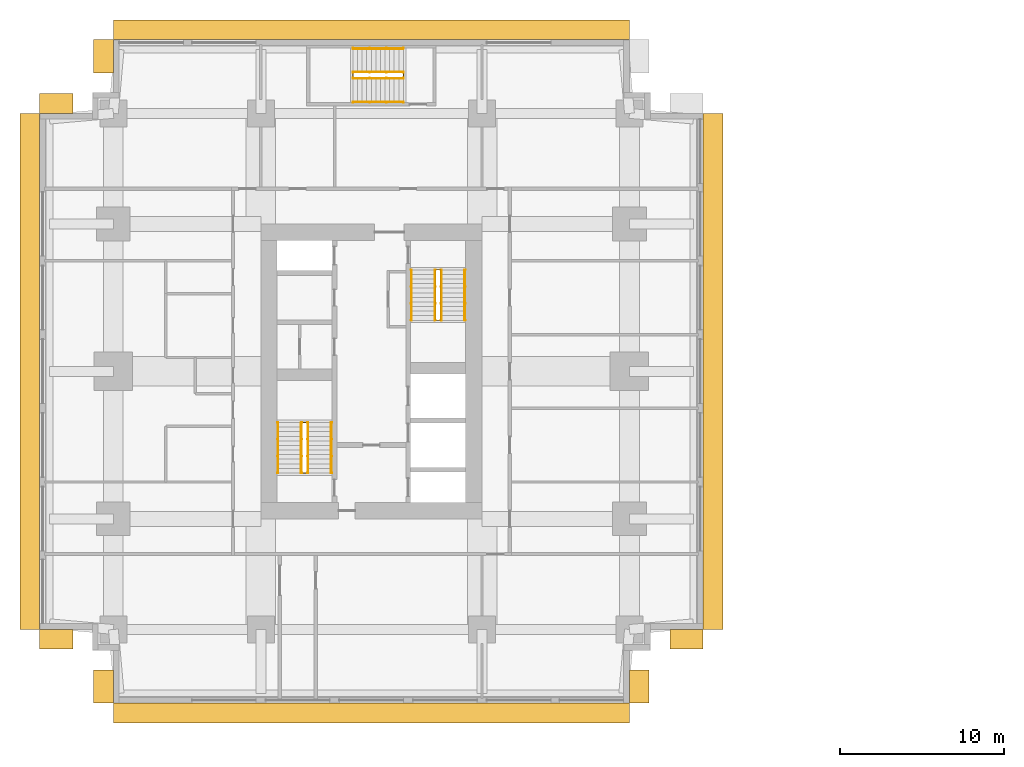
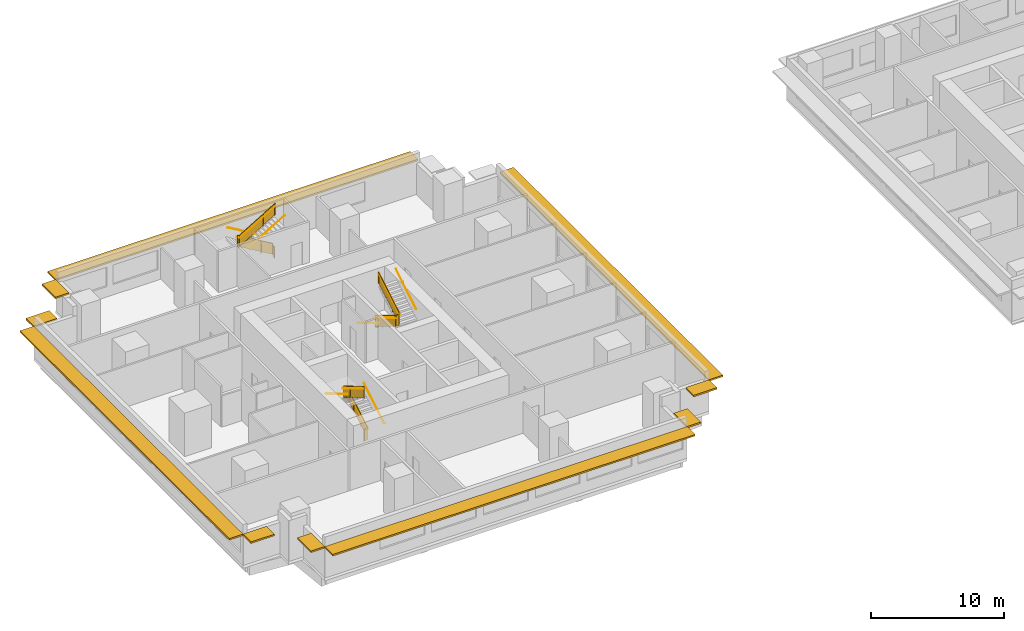
# One storey, part 10 of 11: 15 railings, 10 shading devices.
"""IFC4 building model written with IfcOpenShell, lengths in metres."""

import ifcopenshell
import ifcopenshell.guid

model = None  # the IFC model being written
_history = None  # IfcOwnerHistory: only IFC2X3 demands one
_inside = {}  # id of a spatial element -> (the spatial element, [elements in it])
_under = {}  # id of a project, library or spatial element -> (it, [spatial elements below it])
_declared = {}  # id of a project -> (the project, [libraries it declares])
_typed = {}  # id of a type object -> (the type object, [elements of that type])
_made_of = {}  # id of a material, layer set ... -> (it, [elements and type objects made of it])


def new_model(schema):
    """Start an empty IFC model of exactly this schema.

    Asked for "IFC4X3", IfcOpenShell would pick the latest addendum, in which some entities
    have other attributes; the version numbers below select the first issue.
    IFC2X3 requires an IfcOwnerHistory on every rooted entity: one is made here for all.
    """
    global model, _history
    if schema == "IFC4X3":
        model = ifcopenshell.file(schema_version=(4, 3, 0, 0))
    else:
        model = ifcopenshell.file(schema=schema)
    _inside.clear()
    _under.clear()
    _declared.clear()
    _typed.clear()
    _made_of.clear()
    _history = None
    if model.schema == "IFC2X3":
        org = make("IfcOrganization", Name="unknown")
        user = make(
            "IfcPersonAndOrganization",
            ThePerson=make("IfcPerson", FamilyName="unknown"),
            TheOrganization=org,
        )
        app = make(
            "IfcApplication",
            ApplicationDeveloper=org,
            Version="unknown",
            ApplicationFullName="unknown",
            ApplicationIdentifier="unknown",
        )
        _history = make(
            "IfcOwnerHistory",
            OwningUser=user,
            OwningApplication=app,
            ChangeAction="ADDED",
            CreationDate=0,
        )
    return model


def make(cls, **values):
    """One entity of the class cls with the attributes given. An attribute that is None is left unset."""
    return model.create_entity(
        cls, **{name: value for name, value in values.items() if value is not None}
    )


def rooted(cls, **values):
    """An entity with a GlobalId (a new one), such as an element, a storey or a relation."""
    return make(cls, GlobalId=ifcopenshell.guid.new(), OwnerHistory=_history, **values)


def si_unit(unit_type, name, prefix=None):
    """IfcSIUnit, for example si_unit("LENGTHUNIT", "METRE", prefix="MILLI")."""
    return make("IfcSIUnit", UnitType=unit_type, Prefix=prefix, Name=name)


def assignment(units):
    """IfcUnitAssignment: the units of a project."""
    return None if units is None else make("IfcUnitAssignment", Units=units)


def point(xyz):
    """IfcCartesianPoint."""
    return None if xyz is None else make("IfcCartesianPoint", Coordinates=xyz)


def direction(xyz):
    """IfcDirection."""
    return None if xyz is None else make("IfcDirection", DirectionRatios=xyz)


def frame(location, z_axis=None, x_axis=None):
    """IfcAxis2Placement3D, a coordinate frame: its origin and axes. An axis left out is left unset."""
    return make(
        "IfcAxis2Placement3D",
        Location=point(location),
        Axis=direction(z_axis),
        RefDirection=direction(x_axis),
    )


def frame_2d(location, x_axis=None):
    """IfcAxis2Placement2D, a coordinate frame in the plane: its origin and x axis."""
    return make(
        "IfcAxis2Placement2D", Location=point(location), RefDirection=direction(x_axis)
    )


def origin():
    """The frame at (0, 0, 0) with its axes left unset."""
    return frame((0.0, 0.0, 0.0))


def origin_2d():
    """The frame at (0, 0) in the plane with its x axis left unset."""
    return frame_2d((0.0, 0.0))


def place(relative_to, where):
    """IfcLocalPlacement: puts the frame where relative to a parent placement (None: the world)."""
    return make(
        "IfcLocalPlacement", PlacementRelTo=relative_to, RelativePlacement=where
    )


def context(
    kind, dimensions, precision=None, world=None, true_north=None, identifier=None
):
    """IfcGeometricRepresentationContext, for example the 3D "Model" context."""
    return make(
        "IfcGeometricRepresentationContext",
        ContextIdentifier=identifier,
        ContextType=kind,
        CoordinateSpaceDimension=dimensions,
        Precision=precision,
        WorldCoordinateSystem=world,
        TrueNorth=true_north,
    )


def subcontext(parent, identifier, kind, view, scale=None):
    """IfcGeometricRepresentationSubContext, for example "Body" below "Model"."""
    return make(
        "IfcGeometricRepresentationSubContext",
        ContextIdentifier=identifier,
        ContextType=kind,
        ParentContext=parent,
        TargetScale=scale,
        TargetView=view,
    )


def project(units=None, contexts=None):
    """IfcProject with its units and contexts."""
    return rooted(
        "IfcProject",
        Name="project",
        RepresentationContexts=contexts,
        UnitsInContext=assignment(units),
    )


def spatial(cls, under=None, at=None, **own):
    """A site, building, storey or space (cls), placed at a placement, below another one or the project."""
    s = rooted(cls, ObjectPlacement=at, **own)
    if under is not None:
        _under.setdefault(under.id(), (under, []))[1].append(s)
    return s


def polyline(points):
    """IfcPolyline through the points."""
    return make("IfcPolyline", Points=[point(p) for p in points])


def profile(cls, at=None, kind="AREA", **sizes):
    """A parametric profile (cls). Its sizes go by their IFC names, for example OverallWidth=200.0."""
    return make(cls, ProfileType=kind, Position=at, **sizes)


def rectangle(**sizes):
    """IfcRectangleProfileDef."""
    return profile("IfcRectangleProfileDef", **sizes)


def circle(**sizes):
    """IfcCircleProfileDef."""
    return profile("IfcCircleProfileDef", **sizes)


def outline(outer, holes=None, kind="AREA"):
    """IfcArbitraryClosedProfileDef: a profile drawn as a closed curve; with holes, ...WithVoids."""
    if holes is None:
        return make("IfcArbitraryClosedProfileDef", ProfileType=kind, OuterCurve=outer)
    return make(
        "IfcArbitraryProfileDefWithVoids",
        ProfileType=kind,
        OuterCurve=outer,
        InnerCurves=holes,
    )


def extrude(swept, where, along, depth):
    """IfcExtrudedAreaSolid: the profile swept, set in the frame where, extruded along a direction by depth."""
    return make(
        "IfcExtrudedAreaSolid",
        SweptArea=swept,
        Position=where,
        ExtrudedDirection=direction(along),
        Depth=depth,
    )


def shape(context_of_items, identifier, shape_type, items):
    """IfcShapeRepresentation: the items that make up one representation, for example the "Body"."""
    return make(
        "IfcShapeRepresentation",
        ContextOfItems=context_of_items,
        RepresentationIdentifier=identifier,
        RepresentationType=shape_type,
        Items=items,
    )


def material(Name=None, Category=None):
    """IfcMaterial."""
    return make("IfcMaterial", Name=Name, Category=Category)


def layer(
    of_material, thickness, ventilated=None, Name=None, Category=None, Priority=None
):
    """IfcMaterialLayer: one layer of a wall or slab, of a material (None: an air gap)."""
    return make(
        "IfcMaterialLayer",
        Material=of_material,
        LayerThickness=thickness,
        IsVentilated=ventilated,
        Name=Name,
        Category=Category,
        Priority=Priority,
    )


def layer_set(layers, Name=None):
    """IfcMaterialLayerSet."""
    return make("IfcMaterialLayerSet", MaterialLayers=layers, LayerSetName=Name)


def made_of(thing, what):
    """Note that an element or type object is made of a material, layer set ...; save() writes the relation."""
    if what is not None:
        _made_of.setdefault(what.id(), (what, []))[1].append(thing)
    return thing


def type_object(cls, material=None, **own):
    """A type object (cls), such as IfcWallType, which elements share."""
    return made_of(rooted(cls, **own), material)


def element(
    cls,
    number,
    at=None,
    inside=None,
    cuts=None,
    type_object=None,
    material=None,
    context=None,
    identifier="Body",
    shape_type=None,
    held_by="IfcProductDefinitionShape",
    body=None,
    shapes=None,
    **own,
):
    """One element of the class cls, such as IfcWall. Its Tag is "e" and its number.

    at: its placement. inside: the storey or other place that contains it. cuts: it is an
    opening in that element (IfcRelVoidsElement). A single representation is given by context,
    identifier, shape_type and body (its items); several are given by shapes. held_by: the class
    of the entity that holds the representations. save() writes the other relations.
    """
    e = rooted(cls, Tag="e%d" % number, ObjectPlacement=at, **own)
    if body is not None:
        shapes = [shape(context, identifier, shape_type, body)]
    if shapes is not None:
        e.Representation = make(held_by, Representations=shapes)
    if inside is not None:
        _inside.setdefault(inside.id(), (inside, []))[1].append(e)
    if cuts is not None:
        rooted(
            "IfcRelVoidsElement", RelatingBuildingElement=cuts, RelatedOpeningElement=e
        )
    if type_object is not None:
        _typed.setdefault(type_object.id(), (type_object, []))[1].append(e)
    return made_of(e, material)


def aggregate(whole, parts):
    """IfcRelAggregates: a whole, such as a stair, and the parts it consists of."""
    return rooted("IfcRelAggregates", RelatingObject=whole, RelatedObjects=parts)


def save(model, path):
    """Write the relations noted so far, then the file.

    IfcRelAggregates (storeys below a building ...), IfcRelContainedInSpatialStructure (elements
    in a storey), IfcRelDefinesByType, IfcRelAssociatesMaterial and IfcRelDeclares: one each for
    every whole, place, type object, material and project.
    """
    for whole, parts in _under.values():
        aggregate(whole, parts)
    for where, things in _inside.values():
        rooted(
            "IfcRelContainedInSpatialStructure",
            RelatedElements=things,
            RelatingStructure=where,
        )
    for kind, things in _typed.values():
        rooted("IfcRelDefinesByType", RelatedObjects=things, RelatingType=kind)
    for what, things in _made_of.values():
        rooted("IfcRelAssociatesMaterial", RelatedObjects=things, RelatingMaterial=what)
    for by, libraries in _declared.values():
        rooted("IfcRelDeclares", RelatingContext=by, RelatedDefinitions=libraries)
    model.write(path)


model = new_model("IFC4")

# Units and contexts
model_context = context("Model", 3, precision=1e-05, world=origin(), true_north=direction((0.0, 1.0)))
body_context = subcontext(model_context, "Body", "Model", "MODEL_VIEW")
ifc_project = project(units=[si_unit("LENGTHUNIT", "METRE"), si_unit("AREAUNIT", "SQUARE_METRE"), si_unit("VOLUMEUNIT", "CUBIC_METRE"), si_unit("PLANEANGLEUNIT", "RADIAN"), si_unit("MASSUNIT", "GRAM", prefix="KILO")], contexts=[model_context])

# Site, building, storey
site_placement = place(None, origin())
site = spatial("IfcSite", under=ifc_project, at=site_placement, CompositionType="ELEMENT")
building_placement = place(site_placement, origin())
building = spatial("IfcBuilding", under=site, at=building_placement, Name="Namib Vertical Campus", CompositionType="ELEMENT")
storey_placement = place(building_placement, frame((0.0, 0.0, 185.0)))
storey = spatial("IfcBuildingStorey", under=building, at=storey_placement, Name="L43", CompositionType="ELEMENT", Elevation=185.0)

# Railings
ifc_material_1 = material(Name="Steel handrail", Category="steel")
railing_type_1 = type_object("IfcRailingType", Name="Handrail 900", PredefinedType="HANDRAIL", material=ifc_material_1)
railing_1_placement = place(storey_placement, frame((17.800048828125, 14.050048828125, 0.166748046875)))
element("IfcRailing", 1, at=railing_1_placement, inside=storey, type_object=railing_type_1, Name="Handrail HR1 A-S1 L43 1", PredefinedType="HANDRAIL", context=body_context, shape_type="SweptSolid", body=[
    extrude(circle(Radius=0.02392578125, at=origin_2d()), frame((0.0, 0.0, 0.8759765625), z_axis=(0.0, 0.859290745958, 0.51148745235), x_axis=(-1.0, 0.0, 0.0)), (0.0, 0.0, 1.0), 3.584228515625),
    extrude(circle(Radius=0.008056640625, at=origin_2d()), frame((0.0, 0.0, 0.8759765625), z_axis=(1.0, 0.0, 0.0), x_axis=(0.0, 0.0, 1.0)), (0.0, 0.0, 1.0), 0.050048828125),
    extrude(circle(Radius=0.008056640625, at=origin_2d()), frame((0.0, 1.026611328125, 1.48681640625), z_axis=(1.0, 0.0, 0.0), x_axis=(0.0, 0.0, 1.0)), (0.0, 0.0, 1.0), 0.050048828125),
    extrude(circle(Radius=0.008056640625, at=origin_2d()), frame((0.0, 2.05322265625, 2.09814453125), z_axis=(1.0, 0.0, 0.0), x_axis=(0.0, 0.0, 1.0)), (0.0, 0.0, 1.0), 0.050048828125),
    extrude(circle(Radius=0.008056640625, at=origin_2d()), frame((0.0, 3.079833984375, 2.708984375), z_axis=(1.0, 0.0, 0.0), x_axis=(0.0, 0.0, 1.0)), (0.0, 0.0, 1.0), 0.050048828125),
])
railing_2_placement = place(storey_placement, frame((14.550048828125, 17.1298828125, 2.166748046875)))
element("IfcRailing", 2, at=railing_2_placement, inside=storey, type_object=railing_type_1, Name="Handrail HR1 A-S1 L43 2", PredefinedType="HANDRAIL", context=body_context, shape_type="SweptSolid", body=[
    extrude(circle(Radius=0.02392578125, at=origin_2d()), frame((0.0, 0.0, 0.8759765625), z_axis=(0.0, -0.859290745958, 0.51148745235), x_axis=(1.0, 0.0, 0.0)), (0.0, 0.0, 1.0), 3.584228515625),
    extrude(circle(Radius=0.008056640625, at=origin_2d()), frame((0.0, 0.0, 0.8759765625), z_axis=(-1.0, 0.0, 0.0), x_axis=(0.0, 0.0, 1.0)), (0.0, 0.0, 1.0), 0.050048828125),
    extrude(circle(Radius=0.008056640625, at=origin_2d()), frame((0.0, -1.026611328125, 1.48681640625), z_axis=(-1.0, 0.0, 0.0), x_axis=(0.0, 0.0, 1.0)), (0.0, 0.0, 1.0), 0.050048828125),
    extrude(circle(Radius=0.008056640625, at=origin_2d()), frame((0.0, -2.05322265625, 2.09814453125), z_axis=(-1.0, 0.0, 0.0), x_axis=(0.0, 0.0, 1.0)), (0.0, 0.0, 1.0), 0.050048828125),
    extrude(circle(Radius=0.008056640625, at=origin_2d()), frame((0.0, -3.079833984375, 2.708984375), z_axis=(-1.0, 0.0, 0.0), x_axis=(0.0, 0.0, 1.0)), (0.0, 0.0, 1.0), 0.050048828125),
])
railing_3_placement = place(storey_placement, frame((16.375, 14.050048828125, 0.166748046875)))
element("IfcRailing", 3, at=railing_3_placement, inside=storey, type_object=railing_type_1, Name="Handrail HR1 A-S1 L43 1 at the well", PredefinedType="HANDRAIL", context=body_context, shape_type="SweptSolid", body=[
    extrude(circle(Radius=0.02392578125, at=origin_2d()), frame((0.0, 0.0, 0.8759765625), z_axis=(0.0, 0.859290745958, 0.51148745235), x_axis=(-1.0, 0.0, 0.0)), (0.0, 0.0, 1.0), 3.584228515625),
    extrude(circle(Radius=0.008056640625, at=origin_2d()), frame((0.0, 0.0, 0.8759765625), z_axis=(-1.0, 0.0, 0.0), x_axis=(0.0, 0.0, 1.0)), (0.0, 0.0, 1.0), 0.0400390625),
    extrude(circle(Radius=0.008056640625, at=origin_2d()), frame((0.0, 1.026611328125, 1.48681640625), z_axis=(-1.0, 0.0, 0.0), x_axis=(0.0, 0.0, 1.0)), (0.0, 0.0, 1.0), 0.0400390625),
    extrude(circle(Radius=0.008056640625, at=origin_2d()), frame((0.0, 2.05322265625, 2.09814453125), z_axis=(-1.0, 0.0, 0.0), x_axis=(0.0, 0.0, 1.0)), (0.0, 0.0, 1.0), 0.0400390625),
    extrude(circle(Radius=0.008056640625, at=origin_2d()), frame((0.0, 3.079833984375, 2.708984375), z_axis=(-1.0, 0.0, 0.0), x_axis=(0.0, 0.0, 1.0)), (0.0, 0.0, 1.0), 0.0400390625),
])
railing_4_placement = place(storey_placement, frame((15.97509765625, 17.1298828125, 2.166748046875)))
element("IfcRailing", 4, at=railing_4_placement, inside=storey, type_object=railing_type_1, Name="Handrail HR1 A-S1 L43 2 at the well", PredefinedType="HANDRAIL", context=body_context, shape_type="SweptSolid", body=[
    extrude(circle(Radius=0.02392578125, at=origin_2d()), frame((0.0, 0.0, 0.8759765625), z_axis=(0.0, -0.859290745958, 0.51148745235), x_axis=(1.0, 0.0, 0.0)), (0.0, 0.0, 1.0), 3.584228515625),
    extrude(circle(Radius=0.008056640625, at=origin_2d()), frame((0.0, 0.0, 0.8759765625), z_axis=(1.0, 0.0, 0.0), x_axis=(0.0, 0.0, 1.0)), (0.0, 0.0, 1.0), 0.0400390625),
    extrude(circle(Radius=0.008056640625, at=origin_2d()), frame((0.0, -1.026611328125, 1.48681640625), z_axis=(1.0, 0.0, 0.0), x_axis=(0.0, 0.0, 1.0)), (0.0, 0.0, 1.0), 0.0400390625),
    extrude(circle(Radius=0.008056640625, at=origin_2d()), frame((0.0, -2.05322265625, 2.09814453125), z_axis=(1.0, 0.0, 0.0), x_axis=(0.0, 0.0, 1.0)), (0.0, 0.0, 1.0), 0.0400390625),
    extrude(circle(Radius=0.008056640625, at=origin_2d()), frame((0.0, -3.079833984375, 2.708984375), z_axis=(1.0, 0.0, 0.0), x_axis=(0.0, 0.0, 1.0)), (0.0, 0.0, 1.0), 0.0400390625),
])
railing_5_placement = place(storey_placement, frame((22.699951171875, 26.449951171875, 0.166748046875)))
element("IfcRailing", 5, at=railing_5_placement, inside=storey, type_object=railing_type_1, Name="Handrail HR1 A-S2 L43 1", PredefinedType="HANDRAIL", context=body_context, shape_type="SweptSolid", body=[
    extrude(circle(Radius=0.02392578125, at=origin_2d()), frame((0.0, 0.0, 0.8759765625), z_axis=(0.0, -0.859290745958, 0.51148745235), x_axis=(1.0, 0.0, 0.0)), (0.0, 0.0, 1.0), 3.584228515625),
    extrude(circle(Radius=0.008056640625, at=origin_2d()), frame((0.0, 0.0, 0.8759765625), z_axis=(-1.0, 0.0, 0.0), x_axis=(0.0, 0.0, 1.0)), (0.0, 0.0, 1.0), 0.050048828125),
    extrude(circle(Radius=0.008056640625, at=origin_2d()), frame((0.0, -1.026611328125, 1.48681640625), z_axis=(-1.0, 0.0, 0.0), x_axis=(0.0, 0.0, 1.0)), (0.0, 0.0, 1.0), 0.050048828125),
    extrude(circle(Radius=0.008056640625, at=origin_2d()), frame((0.0, -2.05322265625, 2.09814453125), z_axis=(-1.0, 0.0, 0.0), x_axis=(0.0, 0.0, 1.0)), (0.0, 0.0, 1.0), 0.050048828125),
    extrude(circle(Radius=0.008056640625, at=origin_2d()), frame((0.0, -3.079833984375, 2.708984375), z_axis=(-1.0, 0.0, 0.0), x_axis=(0.0, 0.0, 1.0)), (0.0, 0.0, 1.0), 0.050048828125),
])
railing_6_placement = place(storey_placement, frame((25.949951171875, 23.3701171875, 2.166748046875)))
element("IfcRailing", 6, at=railing_6_placement, inside=storey, type_object=railing_type_1, Name="Handrail HR1 A-S2 L43 2", PredefinedType="HANDRAIL", context=body_context, shape_type="SweptSolid", body=[
    extrude(circle(Radius=0.02392578125, at=origin_2d()), frame((0.0, 0.0, 0.8759765625), z_axis=(0.0, 0.859290745958, 0.51148745235), x_axis=(-1.0, 0.0, 0.0)), (0.0, 0.0, 1.0), 3.584228515625),
    extrude(circle(Radius=0.008056640625, at=origin_2d()), frame((0.0, 0.0, 0.8759765625), z_axis=(1.0, 0.0, 0.0), x_axis=(0.0, 0.0, 1.0)), (0.0, 0.0, 1.0), 0.050048828125),
    extrude(circle(Radius=0.008056640625, at=origin_2d()), frame((0.0, 1.026611328125, 1.48681640625), z_axis=(1.0, 0.0, 0.0), x_axis=(0.0, 0.0, 1.0)), (0.0, 0.0, 1.0), 0.050048828125),
    extrude(circle(Radius=0.008056640625, at=origin_2d()), frame((0.0, 2.05322265625, 2.09814453125), z_axis=(1.0, 0.0, 0.0), x_axis=(0.0, 0.0, 1.0)), (0.0, 0.0, 1.0), 0.050048828125),
    extrude(circle(Radius=0.008056640625, at=origin_2d()), frame((0.0, 3.079833984375, 2.708984375), z_axis=(1.0, 0.0, 0.0), x_axis=(0.0, 0.0, 1.0)), (0.0, 0.0, 1.0), 0.050048828125),
])
railing_7_placement = place(storey_placement, frame((24.125, 26.449951171875, 0.166748046875)))
element("IfcRailing", 7, at=railing_7_placement, inside=storey, type_object=railing_type_1, Name="Handrail HR1 A-S2 L43 1 at the well", PredefinedType="HANDRAIL", context=body_context, shape_type="SweptSolid", body=[
    extrude(circle(Radius=0.02392578125, at=origin_2d()), frame((0.0, 0.0, 0.8759765625), z_axis=(0.0, -0.859290745958, 0.51148745235), x_axis=(1.0, 0.0, 0.0)), (0.0, 0.0, 1.0), 3.584228515625),
    extrude(circle(Radius=0.008056640625, at=origin_2d()), frame((0.0, 0.0, 0.8759765625), z_axis=(1.0, 0.0, 0.0), x_axis=(0.0, 0.0, 1.0)), (0.0, 0.0, 1.0), 0.0400390625),
    extrude(circle(Radius=0.008056640625, at=origin_2d()), frame((0.0, -1.026611328125, 1.48681640625), z_axis=(1.0, 0.0, 0.0), x_axis=(0.0, 0.0, 1.0)), (0.0, 0.0, 1.0), 0.0400390625),
    extrude(circle(Radius=0.008056640625, at=origin_2d()), frame((0.0, -2.05322265625, 2.09814453125), z_axis=(1.0, 0.0, 0.0), x_axis=(0.0, 0.0, 1.0)), (0.0, 0.0, 1.0), 0.0400390625),
    extrude(circle(Radius=0.008056640625, at=origin_2d()), frame((0.0, -3.079833984375, 2.708984375), z_axis=(1.0, 0.0, 0.0), x_axis=(0.0, 0.0, 1.0)), (0.0, 0.0, 1.0), 0.0400390625),
])
railing_8_placement = place(storey_placement, frame((24.52490234375, 23.3701171875, 2.166748046875)))
element("IfcRailing", 8, at=railing_8_placement, inside=storey, type_object=railing_type_1, Name="Handrail HR1 A-S2 L43 2 at the well", PredefinedType="HANDRAIL", context=body_context, shape_type="SweptSolid", body=[
    extrude(circle(Radius=0.02392578125, at=origin_2d()), frame((0.0, 0.0, 0.8759765625), z_axis=(0.0, 0.859290745958, 0.51148745235), x_axis=(-1.0, 0.0, 0.0)), (0.0, 0.0, 1.0), 3.584228515625),
    extrude(circle(Radius=0.008056640625, at=origin_2d()), frame((0.0, 0.0, 0.8759765625), z_axis=(-1.0, 0.0, 0.0), x_axis=(0.0, 0.0, 1.0)), (0.0, 0.0, 1.0), 0.0400390625),
    extrude(circle(Radius=0.008056640625, at=origin_2d()), frame((0.0, 1.026611328125, 1.48681640625), z_axis=(-1.0, 0.0, 0.0), x_axis=(0.0, 0.0, 1.0)), (0.0, 0.0, 1.0), 0.0400390625),
    extrude(circle(Radius=0.008056640625, at=origin_2d()), frame((0.0, 2.05322265625, 2.09814453125), z_axis=(-1.0, 0.0, 0.0), x_axis=(0.0, 0.0, 1.0)), (0.0, 0.0, 1.0), 0.0400390625),
    extrude(circle(Radius=0.008056640625, at=origin_2d()), frame((0.0, 3.079833984375, 2.708984375), z_axis=(-1.0, 0.0, 0.0), x_axis=(0.0, 0.0, 1.0)), (0.0, 0.0, 1.0), 0.0400390625),
])
railing_9_placement = place(storey_placement, frame((22.199951171875, 39.949951171875, 0.166748046875)))
element("IfcRailing", 9, at=railing_9_placement, inside=storey, type_object=railing_type_1, Name="Handrail HR1 A-S3 L43 1", PredefinedType="HANDRAIL", context=body_context, shape_type="SweptSolid", body=[
    extrude(circle(Radius=0.02392578125, at=origin_2d()), frame((0.0, 0.0, 0.8759765625), z_axis=(-0.859290745958, 0.0, 0.51148745235), x_axis=(0.0, -1.0, 0.0)), (0.0, 0.0, 1.0), 3.584228515625),
    extrude(circle(Radius=0.008056640625, at=origin_2d()), frame((0.0, 0.0, 0.8759765625), z_axis=(0.0, 1.0, 0.0), x_axis=(0.0, 0.0, 1.0)), (0.0, 0.0, 1.0), 0.050048828125),
    extrude(circle(Radius=0.008056640625, at=origin_2d()), frame((-1.026611328125, 0.0, 1.48681640625), z_axis=(0.0, 1.0, 0.0), x_axis=(0.0, 0.0, 1.0)), (0.0, 0.0, 1.0), 0.050048828125),
    extrude(circle(Radius=0.008056640625, at=origin_2d()), frame((-2.05322265625, 0.0, 2.09814453125), z_axis=(0.0, 1.0, 0.0), x_axis=(0.0, 0.0, 1.0)), (0.0, 0.0, 1.0), 0.050048828125),
    extrude(circle(Radius=0.008056640625, at=origin_2d()), frame((-3.079833984375, 0.0, 2.708984375), z_axis=(0.0, 1.0, 0.0), x_axis=(0.0, 0.0, 1.0)), (0.0, 0.0, 1.0), 0.050048828125),
])
railing_10_placement = place(storey_placement, frame((19.1201171875, 36.699951171875, 2.166748046875)))
element("IfcRailing", 10, at=railing_10_placement, inside=storey, type_object=railing_type_1, Name="Handrail HR1 A-S3 L43 2", PredefinedType="HANDRAIL", context=body_context, shape_type="SweptSolid", body=[
    extrude(circle(Radius=0.02392578125, at=origin_2d()), frame((0.0, 0.0, 0.8759765625), z_axis=(0.859290745958, 0.0, 0.51148745235), x_axis=(0.0, 1.0, 0.0)), (0.0, 0.0, 1.0), 3.584228515625),
    extrude(circle(Radius=0.008056640625, at=origin_2d()), frame((0.0, 0.0, 0.8759765625), z_axis=(0.0, -1.0, 0.0), x_axis=(0.0, 0.0, 1.0)), (0.0, 0.0, 1.0), 0.050048828125),
    extrude(circle(Radius=0.008056640625, at=origin_2d()), frame((1.026611328125, 0.0, 1.48681640625), z_axis=(0.0, -1.0, 0.0), x_axis=(0.0, 0.0, 1.0)), (0.0, 0.0, 1.0), 0.050048828125),
    extrude(circle(Radius=0.008056640625, at=origin_2d()), frame((2.05322265625, 0.0, 2.09814453125), z_axis=(0.0, -1.0, 0.0), x_axis=(0.0, 0.0, 1.0)), (0.0, 0.0, 1.0), 0.050048828125),
    extrude(circle(Radius=0.008056640625, at=origin_2d()), frame((3.079833984375, 0.0, 2.708984375), z_axis=(0.0, -1.0, 0.0), x_axis=(0.0, 0.0, 1.0)), (0.0, 0.0, 1.0), 0.050048828125),
])
railing_11_placement = place(storey_placement, frame((22.199951171875, 38.52490234375, 0.166748046875)))
element("IfcRailing", 11, at=railing_11_placement, inside=storey, type_object=railing_type_1, Name="Handrail HR1 A-S3 L43 1 at the well", PredefinedType="HANDRAIL", context=body_context, shape_type="SweptSolid", body=[
    extrude(circle(Radius=0.02392578125, at=origin_2d()), frame((0.0, 0.0, 0.8759765625), z_axis=(-0.859290745958, 0.0, 0.51148745235), x_axis=(0.0, -1.0, 0.0)), (0.0, 0.0, 1.0), 3.584228515625),
    extrude(circle(Radius=0.008056640625, at=origin_2d()), frame((0.0, 0.0, 0.8759765625), z_axis=(0.0, -1.0, 0.0), x_axis=(0.0, 0.0, 1.0)), (0.0, 0.0, 1.0), 0.0400390625),
    extrude(circle(Radius=0.008056640625, at=origin_2d()), frame((-1.026611328125, 0.0, 1.48681640625), z_axis=(0.0, -1.0, 0.0), x_axis=(0.0, 0.0, 1.0)), (0.0, 0.0, 1.0), 0.0400390625),
    extrude(circle(Radius=0.008056640625, at=origin_2d()), frame((-2.05322265625, 0.0, 2.09814453125), z_axis=(0.0, -1.0, 0.0), x_axis=(0.0, 0.0, 1.0)), (0.0, 0.0, 1.0), 0.0400390625),
    extrude(circle(Radius=0.008056640625, at=origin_2d()), frame((-3.079833984375, 0.0, 2.708984375), z_axis=(0.0, -1.0, 0.0), x_axis=(0.0, 0.0, 1.0)), (0.0, 0.0, 1.0), 0.0400390625),
])
railing_12_placement = place(storey_placement, frame((19.1201171875, 38.125, 2.166748046875)))
element("IfcRailing", 12, at=railing_12_placement, inside=storey, type_object=railing_type_1, Name="Handrail HR1 A-S3 L43 2 at the well", PredefinedType="HANDRAIL", context=body_context, shape_type="SweptSolid", body=[
    extrude(circle(Radius=0.02392578125, at=origin_2d()), frame((0.0, 0.0, 0.8759765625), z_axis=(0.859290745958, 0.0, 0.51148745235), x_axis=(0.0, 1.0, 0.0)), (0.0, 0.0, 1.0), 3.584228515625),
    extrude(circle(Radius=0.008056640625, at=origin_2d()), frame((0.0, 0.0, 0.8759765625), z_axis=(0.0, 1.0, 0.0), x_axis=(0.0, 0.0, 1.0)), (0.0, 0.0, 1.0), 0.0400390625),
    extrude(circle(Radius=0.008056640625, at=origin_2d()), frame((1.026611328125, 0.0, 1.48681640625), z_axis=(0.0, 1.0, 0.0), x_axis=(0.0, 0.0, 1.0)), (0.0, 0.0, 1.0), 0.0400390625),
    extrude(circle(Radius=0.008056640625, at=origin_2d()), frame((2.05322265625, 0.0, 2.09814453125), z_axis=(0.0, 1.0, 0.0), x_axis=(0.0, 0.0, 1.0)), (0.0, 0.0, 1.0), 0.0400390625),
    extrude(circle(Radius=0.008056640625, at=origin_2d()), frame((3.079833984375, 0.0, 2.708984375), z_axis=(0.0, 1.0, 0.0), x_axis=(0.0, 0.0, 1.0)), (0.0, 0.0, 1.0), 0.0400390625),
])
ifc_material_2 = material(Name="Steel balustrade", Category="steel")
railing_type_2 = type_object("IfcRailingType", Name="Stair guard 1100", PredefinedType="GUARDRAIL", material=ifc_material_2)
railing_13_placement = place(storey_placement, frame((16.02490234375, 14.050048828125, 0.0)))
element("IfcRailing", 13, at=railing_13_placement, inside=storey, type_object=railing_type_2, Name="Stair guard GR1 A-S1 L43", PredefinedType="GUARDRAIL", context=body_context, shape_type="SweptSolid", body=[
    extrude(circle(Radius=0.02392578125, at=origin_2d()), frame((0.0, 0.0, 1.076171875), z_axis=(1.0, 0.0, 0.0), x_axis=(0.0, 1.0, 0.0)), (0.0, 0.0, 1.0), 0.300048828125),
    extrude(outline(polyline([(0.02099609375, 0.050048828125), (0.279052734375, 0.050048828125), (0.279052734375, 1.052001953125), (0.02099609375, 1.052001953125), (0.02099609375, 0.050048828125)])), frame((0.0, 0.010009765625, 0.0), z_axis=(0.0, -1.0, 0.0), x_axis=(1.0, 0.0, 0.0)), (0.0, 0.0, 1.0), 0.02001953125),
    extrude(circle(Radius=0.02392578125, at=origin_2d()), frame((0.300048828125, 0.0, 1.076171875), z_axis=(0.0, 0.0, 1.0), x_axis=(1.0, 0.0, 0.0)), (0.0, 0.0, 1.0), 0.166748046875),
    extrude(circle(Radius=0.02392578125, at=origin_2d()), frame((0.300048828125, 0.0, 1.24267578125), z_axis=(0.0, 0.859290745958, 0.51148745235), x_axis=(-1.0, 0.0, 0.0)), (0.0, 0.0, 1.0), 3.584228515625),
    extrude(outline(polyline([(0.02099609375, 0.0625), (3.058837890625, 1.870849609375), (3.058837890625, 2.872802734375), (0.02099609375, 1.064453125), (0.02099609375, 0.0625)])), frame((0.2900390625, 0.0, 0.166748046875), z_axis=(1.0, 0.0, 0.0), x_axis=(0.0, 1.0, 0.0)), (0.0, 0.0, 1.0), 0.02001953125),
    extrude(circle(Radius=0.02392578125, at=origin_2d()), frame((0.300048828125, 3.079833984375, 3.076171875), z_axis=(-1.0, 0.0, 0.0), x_axis=(0.0, -1.0, 0.0)), (0.0, 0.0, 1.0), 0.300048828125),
    extrude(outline(polyline([(0.02099609375, 0.050048828125), (0.279052734375, 0.050048828125), (0.279052734375, 1.052001953125), (0.02099609375, 1.052001953125), (0.02099609375, 0.050048828125)])), frame((0.300048828125, 3.06982421875, 2.0), z_axis=(0.0, 1.0, 0.0), x_axis=(-1.0, 0.0, 0.0)), (0.0, 0.0, 1.0), 0.02001953125),
    extrude(circle(Radius=0.02392578125, at=origin_2d()), frame((0.0, 3.079833984375, 3.076171875), z_axis=(0.0, 0.0, 1.0), x_axis=(1.0, 0.0, 0.0)), (0.0, 0.0, 1.0), 0.166748046875),
    extrude(circle(Radius=0.02392578125, at=origin_2d()), frame((0.0, 3.079833984375, 3.24267578125), z_axis=(0.0, -0.859290745958, 0.51148745235), x_axis=(1.0, 0.0, 0.0)), (0.0, 0.0, 1.0), 3.584228515625),
    extrude(outline(polyline([(0.02099609375, 0.0625), (3.058837890625, 1.870849609375), (3.058837890625, 2.872802734375), (0.02099609375, 1.064453125), (0.02099609375, 0.0625)])), frame((0.010009765625, 3.079833984375, 2.166748046875), z_axis=(-1.0, 0.0, 0.0), x_axis=(0.0, -1.0, 0.0)), (0.0, 0.0, 1.0), 0.02001953125),
    extrude(circle(Radius=0.02392578125, at=origin_2d()), frame((0.0, 0.0, 5.076171875), z_axis=(0.0, -1.0, 0.0), x_axis=(1.0, 0.0, 0.0)), (0.0, 0.0, 1.0), 0.050048828125),
    extrude(outline(polyline([(0.02099609375, 0.050048828125), (0.029052734375, 0.050048828125), (0.029052734375, 1.052001953125), (0.02099609375, 1.052001953125), (0.02099609375, 0.050048828125)])), frame((0.010009765625, 0.0, 4.0), z_axis=(-1.0, 0.0, 0.0), x_axis=(0.0, -1.0, 0.0)), (0.0, 0.0, 1.0), 0.02001953125),
    extrude(circle(Radius=0.02099609375, at=origin_2d()), origin(), (0.0, 0.0, 1.0), 1.052001953125),
    extrude(circle(Radius=0.02099609375, at=origin_2d()), frame((0.300048828125, 0.0, 0.166748046875)), (0.0, 0.0, 1.0), 1.052001953125),
    extrude(circle(Radius=0.02099609375, at=origin_2d()), frame((0.300048828125, 1.026611328125, 0.666748046875)), (0.0, 0.0, 1.0), 1.1630859375),
    extrude(circle(Radius=0.02099609375, at=origin_2d()), frame((0.300048828125, 2.05322265625, 1.33349609375)), (0.0, 0.0, 1.0), 1.107421875),
    extrude(circle(Radius=0.02099609375, at=origin_2d()), frame((0.300048828125, 3.079833984375, 2.0)), (0.0, 0.0, 1.0), 1.052001953125),
    extrude(circle(Radius=0.02099609375, at=origin_2d()), frame((0.0, 3.079833984375, 2.166748046875)), (0.0, 0.0, 1.0), 1.052001953125),
    extrude(circle(Radius=0.02099609375, at=origin_2d()), frame((0.0, 2.05322265625, 2.666748046875)), (0.0, 0.0, 1.0), 1.1630859375),
    extrude(circle(Radius=0.02099609375, at=origin_2d()), frame((0.0, 1.026611328125, 3.33349609375)), (0.0, 0.0, 1.0), 1.107421875),
    extrude(circle(Radius=0.02099609375, at=origin_2d()), frame((0.0, 0.0, 4.0)), (0.0, 0.0, 1.0), 1.052001953125),
    extrude(circle(Radius=0.02099609375, at=origin_2d()), frame((0.0, -0.050048828125, 4.0)), (0.0, 0.0, 1.0), 1.052001953125),
])
railing_14_placement = place(storey_placement, frame((24.47509765625, 26.449951171875, 0.0)))
element("IfcRailing", 14, at=railing_14_placement, inside=storey, type_object=railing_type_2, Name="Stair guard GR1 A-S2 L43", PredefinedType="GUARDRAIL", context=body_context, shape_type="SweptSolid", body=[
    extrude(circle(Radius=0.02392578125, at=origin_2d()), frame((0.0, 0.0, 1.076171875), z_axis=(-1.0, 0.0, 0.0), x_axis=(0.0, -1.0, 0.0)), (0.0, 0.0, 1.0), 0.300048828125),
    extrude(outline(polyline([(0.02099609375, 0.050048828125), (0.279052734375, 0.050048828125), (0.279052734375, 1.052001953125), (0.02099609375, 1.052001953125), (0.02099609375, 0.050048828125)])), frame((0.0, -0.010009765625, 0.0), z_axis=(0.0, 1.0, 0.0), x_axis=(-1.0, 0.0, 0.0)), (0.0, 0.0, 1.0), 0.02001953125),
    extrude(circle(Radius=0.02392578125, at=origin_2d()), frame((-0.300048828125, 0.0, 1.076171875), z_axis=(0.0, 0.0, 1.0), x_axis=(1.0, 0.0, 0.0)), (0.0, 0.0, 1.0), 0.166748046875),
    extrude(circle(Radius=0.02392578125, at=origin_2d()), frame((-0.300048828125, 0.0, 1.24267578125), z_axis=(0.0, -0.859290745958, 0.51148745235), x_axis=(1.0, 0.0, 0.0)), (0.0, 0.0, 1.0), 3.584228515625),
    extrude(outline(polyline([(0.02099609375, 0.0625), (3.058837890625, 1.870849609375), (3.058837890625, 2.872802734375), (0.02099609375, 1.064453125), (0.02099609375, 0.0625)])), frame((-0.2900390625, 0.0, 0.166748046875), z_axis=(-1.0, 0.0, 0.0), x_axis=(0.0, -1.0, 0.0)), (0.0, 0.0, 1.0), 0.02001953125),
    extrude(circle(Radius=0.02392578125, at=origin_2d()), frame((-0.300048828125, -3.079833984375, 3.076171875), z_axis=(1.0, 0.0, 0.0), x_axis=(0.0, 1.0, 0.0)), (0.0, 0.0, 1.0), 0.300048828125),
    extrude(outline(polyline([(0.02099609375, 0.050048828125), (0.279052734375, 0.050048828125), (0.279052734375, 1.052001953125), (0.02099609375, 1.052001953125), (0.02099609375, 0.050048828125)])), frame((-0.300048828125, -3.06982421875, 2.0), z_axis=(0.0, -1.0, 0.0), x_axis=(1.0, 0.0, 0.0)), (0.0, 0.0, 1.0), 0.02001953125),
    extrude(circle(Radius=0.02392578125, at=origin_2d()), frame((0.0, -3.079833984375, 3.076171875), z_axis=(0.0, 0.0, 1.0), x_axis=(1.0, 0.0, 0.0)), (0.0, 0.0, 1.0), 0.166748046875),
    extrude(circle(Radius=0.02392578125, at=origin_2d()), frame((0.0, -3.079833984375, 3.24267578125), z_axis=(0.0, 0.859290745958, 0.51148745235), x_axis=(-1.0, 0.0, 0.0)), (0.0, 0.0, 1.0), 3.584228515625),
    extrude(outline(polyline([(0.02099609375, 0.0625), (3.058837890625, 1.870849609375), (3.058837890625, 2.872802734375), (0.02099609375, 1.064453125), (0.02099609375, 0.0625)])), frame((-0.010009765625, -3.079833984375, 2.166748046875), z_axis=(1.0, 0.0, 0.0), x_axis=(0.0, 1.0, 0.0)), (0.0, 0.0, 1.0), 0.02001953125),
    extrude(circle(Radius=0.02392578125, at=origin_2d()), frame((0.0, 0.0, 5.076171875), z_axis=(0.0, 1.0, 0.0), x_axis=(-1.0, 0.0, 0.0)), (0.0, 0.0, 1.0), 0.050048828125),
    extrude(outline(polyline([(0.02099609375, 0.050048828125), (0.029052734375, 0.050048828125), (0.029052734375, 1.052001953125), (0.02099609375, 1.052001953125), (0.02099609375, 0.050048828125)])), frame((-0.010009765625, 0.0, 4.0), z_axis=(1.0, 0.0, 0.0), x_axis=(0.0, 1.0, 0.0)), (0.0, 0.0, 1.0), 0.02001953125),
    extrude(circle(Radius=0.02099609375, at=origin_2d()), origin(), (0.0, 0.0, 1.0), 1.052001953125),
    extrude(circle(Radius=0.02099609375, at=origin_2d()), frame((-0.300048828125, 0.0, 0.166748046875)), (0.0, 0.0, 1.0), 1.052001953125),
    extrude(circle(Radius=0.02099609375, at=origin_2d()), frame((-0.300048828125, -1.026611328125, 0.666748046875)), (0.0, 0.0, 1.0), 1.1630859375),
    extrude(circle(Radius=0.02099609375, at=origin_2d()), frame((-0.300048828125, -2.05322265625, 1.33349609375)), (0.0, 0.0, 1.0), 1.107421875),
    extrude(circle(Radius=0.02099609375, at=origin_2d()), frame((-0.300048828125, -3.079833984375, 2.0)), (0.0, 0.0, 1.0), 1.052001953125),
    extrude(circle(Radius=0.02099609375, at=origin_2d()), frame((0.0, -3.079833984375, 2.166748046875)), (0.0, 0.0, 1.0), 1.052001953125),
    extrude(circle(Radius=0.02099609375, at=origin_2d()), frame((0.0, -2.05322265625, 2.666748046875)), (0.0, 0.0, 1.0), 1.1630859375),
    extrude(circle(Radius=0.02099609375, at=origin_2d()), frame((0.0, -1.026611328125, 3.33349609375)), (0.0, 0.0, 1.0), 1.107421875),
    extrude(circle(Radius=0.02099609375, at=origin_2d()), frame((0.0, 0.0, 4.0)), (0.0, 0.0, 1.0), 1.052001953125),
    extrude(circle(Radius=0.02099609375, at=origin_2d()), frame((0.0, 0.050048828125, 4.0)), (0.0, 0.0, 1.0), 1.052001953125),
])
railing_15_placement = place(storey_placement, frame((22.199951171875, 38.175048828125, 0.0)))
element("IfcRailing", 15, at=railing_15_placement, inside=storey, type_object=railing_type_2, Name="Stair guard GR1 A-S3 L43", PredefinedType="GUARDRAIL", context=body_context, shape_type="SweptSolid", body=[
    extrude(circle(Radius=0.02392578125, at=origin_2d()), frame((0.0, 0.0, 1.076171875), z_axis=(0.0, 1.0, 0.0), x_axis=(-1.0, 0.0, 0.0)), (0.0, 0.0, 1.0), 0.300048828125),
    extrude(outline(polyline([(0.02099609375, 0.050048828125), (0.279052734375, 0.050048828125), (0.279052734375, 1.052001953125), (0.02099609375, 1.052001953125), (0.02099609375, 0.050048828125)])), frame((-0.010009765625, 0.0, 0.0), z_axis=(1.0, 0.0, 0.0), x_axis=(0.0, 1.0, 0.0)), (0.0, 0.0, 1.0), 0.02001953125),
    extrude(circle(Radius=0.02392578125, at=origin_2d()), frame((0.0, 0.300048828125, 1.076171875), z_axis=(0.0, 0.0, 1.0), x_axis=(1.0, 0.0, 0.0)), (0.0, 0.0, 1.0), 0.166748046875),
    extrude(circle(Radius=0.02392578125, at=origin_2d()), frame((0.0, 0.300048828125, 1.24267578125), z_axis=(-0.859290745958, 0.0, 0.51148745235), x_axis=(0.0, -1.0, 0.0)), (0.0, 0.0, 1.0), 3.584228515625),
    extrude(outline(polyline([(0.02099609375, 0.0625), (3.058837890625, 1.870849609375), (3.058837890625, 2.872802734375), (0.02099609375, 1.064453125), (0.02099609375, 0.0625)])), frame((0.0, 0.2900390625, 0.166748046875), z_axis=(0.0, 1.0, 0.0), x_axis=(-1.0, 0.0, 0.0)), (0.0, 0.0, 1.0), 0.02001953125),
    extrude(circle(Radius=0.02392578125, at=origin_2d()), frame((-3.079833984375, 0.300048828125, 3.076171875), z_axis=(0.0, -1.0, 0.0), x_axis=(1.0, 0.0, 0.0)), (0.0, 0.0, 1.0), 0.300048828125),
    extrude(outline(polyline([(0.02099609375, 0.050048828125), (0.279052734375, 0.050048828125), (0.279052734375, 1.052001953125), (0.02099609375, 1.052001953125), (0.02099609375, 0.050048828125)])), frame((-3.06982421875, 0.300048828125, 2.0), z_axis=(-1.0, 0.0, 0.0), x_axis=(0.0, -1.0, 0.0)), (0.0, 0.0, 1.0), 0.02001953125),
    extrude(circle(Radius=0.02392578125, at=origin_2d()), frame((-3.079833984375, 0.0, 3.076171875), z_axis=(0.0, 0.0, 1.0), x_axis=(1.0, 0.0, 0.0)), (0.0, 0.0, 1.0), 0.166748046875),
    extrude(circle(Radius=0.02392578125, at=origin_2d()), frame((-3.079833984375, 0.0, 3.24267578125), z_axis=(0.859290745958, 0.0, 0.51148745235), x_axis=(0.0, 1.0, 0.0)), (0.0, 0.0, 1.0), 3.584228515625),
    extrude(outline(polyline([(0.02099609375, 0.0625), (3.058837890625, 1.870849609375), (3.058837890625, 2.872802734375), (0.02099609375, 1.064453125), (0.02099609375, 0.0625)])), frame((-3.079833984375, 0.010009765625, 2.166748046875), z_axis=(0.0, -1.0, 0.0), x_axis=(1.0, 0.0, 0.0)), (0.0, 0.0, 1.0), 0.02001953125),
    extrude(circle(Radius=0.02392578125, at=origin_2d()), frame((0.0, 0.0, 5.076171875), z_axis=(1.0, 0.0, 0.0), x_axis=(0.0, 1.0, 0.0)), (0.0, 0.0, 1.0), 0.050048828125),
    extrude(outline(polyline([(0.02099609375, 0.050048828125), (0.029052734375, 0.050048828125), (0.029052734375, 1.052001953125), (0.02099609375, 1.052001953125), (0.02099609375, 0.050048828125)])), frame((0.0, 0.010009765625, 4.0), z_axis=(0.0, -1.0, 0.0), x_axis=(1.0, 0.0, 0.0)), (0.0, 0.0, 1.0), 0.02001953125),
    extrude(circle(Radius=0.02099609375, at=origin_2d()), origin(), (0.0, 0.0, 1.0), 1.052001953125),
    extrude(circle(Radius=0.02099609375, at=origin_2d()), frame((0.0, 0.300048828125, 0.166748046875)), (0.0, 0.0, 1.0), 1.052001953125),
    extrude(circle(Radius=0.02099609375, at=origin_2d()), frame((-1.026611328125, 0.300048828125, 0.666748046875)), (0.0, 0.0, 1.0), 1.1630859375),
    extrude(circle(Radius=0.02099609375, at=origin_2d()), frame((-2.05322265625, 0.300048828125, 1.33349609375)), (0.0, 0.0, 1.0), 1.107421875),
    extrude(circle(Radius=0.02099609375, at=origin_2d()), frame((-3.079833984375, 0.300048828125, 2.0)), (0.0, 0.0, 1.0), 1.052001953125),
    extrude(circle(Radius=0.02099609375, at=origin_2d()), frame((-3.079833984375, 0.0, 2.166748046875)), (0.0, 0.0, 1.0), 1.052001953125),
    extrude(circle(Radius=0.02099609375, at=origin_2d()), frame((-2.05322265625, 0.0, 2.666748046875)), (0.0, 0.0, 1.0), 1.1630859375),
    extrude(circle(Radius=0.02099609375, at=origin_2d()), frame((-1.026611328125, 0.0, 3.33349609375)), (0.0, 0.0, 1.0), 1.107421875),
    extrude(circle(Radius=0.02099609375, at=origin_2d()), frame((0.0, 0.0, 4.0)), (0.0, 0.0, 1.0), 1.052001953125),
    extrude(circle(Radius=0.02099609375, at=origin_2d()), frame((0.050048828125, 0.0, 4.0)), (0.0, 0.0, 1.0), 1.052001953125),
])

# Shading devices
ifc_material_3 = material(Name="Concrete C40/50 precast", Category="concrete")
ifc_layer = layer(ifc_material_3, 0.14990234375)
ifc_layer_set = layer_set([ifc_layer], Name="Concrete C40/50 precast")
shading_device_type = type_object("IfcShadingDeviceType", Name="Sunshade hood 1200", PredefinedType="SHUTTER", material=ifc_layer_set)
shading_device_1_placement = place(storey_placement, frame((20.25, -0.60009765625, 2.75), z_axis=(0.0, 0.0, 1.0), x_axis=(1.0, 0.0, 0.0)))
element("IfcShadingDevice", 16, at=shading_device_1_placement, inside=storey, type_object=shading_device_type, Name="Sunshade SH2 L43 1", PredefinedType="SHUTTER", context=body_context, shape_type="SweptSolid", body=[
    extrude(rectangle(XDim=31.5, YDim=1.199951171875, at=origin_2d()), origin(), (0.0, 0.0, 1.0), 0.14990234375),
])
for number, where, z_axis, x_axis, name in (
    (17, (36.60009765625, 1.012451171875, 2.75), (0.0, 0.0, 1.0), (0.0, 1.0, 0.0), "Sunshade SH2 L43 2"),
    (18, (39.487548828125, 3.89990234375, 2.75), (0.0, 0.0, 1.0), (1.0, 0.0, 0.0), "Sunshade SH2 L43 5"),
):
    element("IfcShadingDevice", number, at=place(storey_placement, frame(where, z_axis=z_axis, x_axis=x_axis)), inside=storey, type_object=shading_device_type, Name=name, PredefinedType="SHUTTER", context=body_context, shape_type="SweptSolid", body=[
        extrude(rectangle(XDim=2.02490234375, YDim=1.199951171875, at=origin_2d()), origin(), (0.0, 0.0, 1.0), 0.14990234375),
    ])
for number, where, z_axis, x_axis, name in (
    (19, (41.10009765625, 20.25, 2.75), (0.0, 0.0, 1.0), (0.0, 1.0, 0.0), "Sunshade SH2 L43 6"),
    (20, (20.25, 41.10009765625, 2.75), (0.0, 0.0, 1.0), (-1.0, 0.0, 0.0), "Sunshade SH2 L43 11"),
):
    element("IfcShadingDevice", number, at=place(storey_placement, frame(where, z_axis=z_axis, x_axis=x_axis)), inside=storey, type_object=shading_device_type, Name=name, PredefinedType="SHUTTER", context=body_context, shape_type="SweptSolid", body=[
        extrude(rectangle(XDim=31.5, YDim=1.199951171875, at=origin_2d()), origin(), (0.0, 0.0, 1.0), 0.14990234375),
    ])
for number, where, z_axis, x_axis, name in (
    (21, (3.89990234375, 39.487548828125, 2.75), (0.0, 0.0, 1.0), (0.0, -1.0, 0.0), "Sunshade SH2 L43 12"),
    (22, (1.012451171875, 36.60009765625, 2.75), (0.0, 0.0, 1.0), (-1.0, 0.0, 0.0), "Sunshade SH2 L43 15"),
):
    element("IfcShadingDevice", number, at=place(storey_placement, frame(where, z_axis=z_axis, x_axis=x_axis)), inside=storey, type_object=shading_device_type, Name=name, PredefinedType="SHUTTER", context=body_context, shape_type="SweptSolid", body=[
        extrude(rectangle(XDim=2.02490234375, YDim=1.199951171875, at=origin_2d()), origin(), (0.0, 0.0, 1.0), 0.14990234375),
    ])
shading_device_2_placement = place(storey_placement, frame((-0.60009765625, 20.25, 2.75), z_axis=(0.0, 0.0, 1.0), x_axis=(0.0, -1.0, 0.0)))
element("IfcShadingDevice", 23, at=shading_device_2_placement, inside=storey, type_object=shading_device_type, Name="Sunshade SH2 L43 16", PredefinedType="SHUTTER", context=body_context, shape_type="SweptSolid", body=[
    extrude(rectangle(XDim=31.5, YDim=1.199951171875, at=origin_2d()), origin(), (0.0, 0.0, 1.0), 0.14990234375),
])
for number, where, z_axis, x_axis, name in (
    (24, (1.012451171875, 3.89990234375, 2.75), (0.0, 0.0, 1.0), (1.0, 0.0, 0.0), "Sunshade SH2 L43 17"),
    (25, (3.89990234375, 1.012451171875, 2.75), (0.0, 0.0, 1.0), (0.0, -1.0, 0.0), "Sunshade SH2 L43 20"),
):
    element("IfcShadingDevice", number, at=place(storey_placement, frame(where, z_axis=z_axis, x_axis=x_axis)), inside=storey, type_object=shading_device_type, Name=name, PredefinedType="SHUTTER", context=body_context, shape_type="SweptSolid", body=[
        extrude(rectangle(XDim=2.02490234375, YDim=1.199951171875, at=origin_2d()), origin(), (0.0, 0.0, 1.0), 0.14990234375),
    ])

save(model, "model.ifc")
